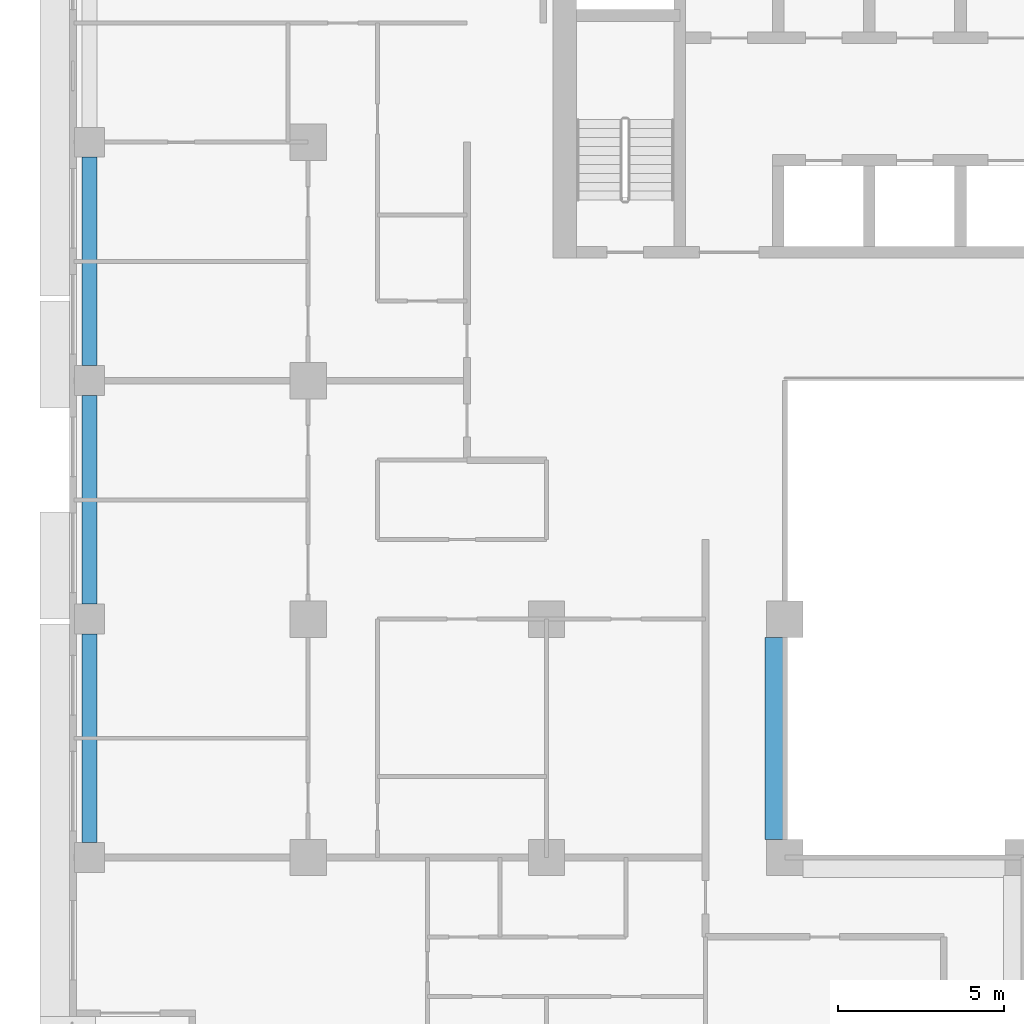
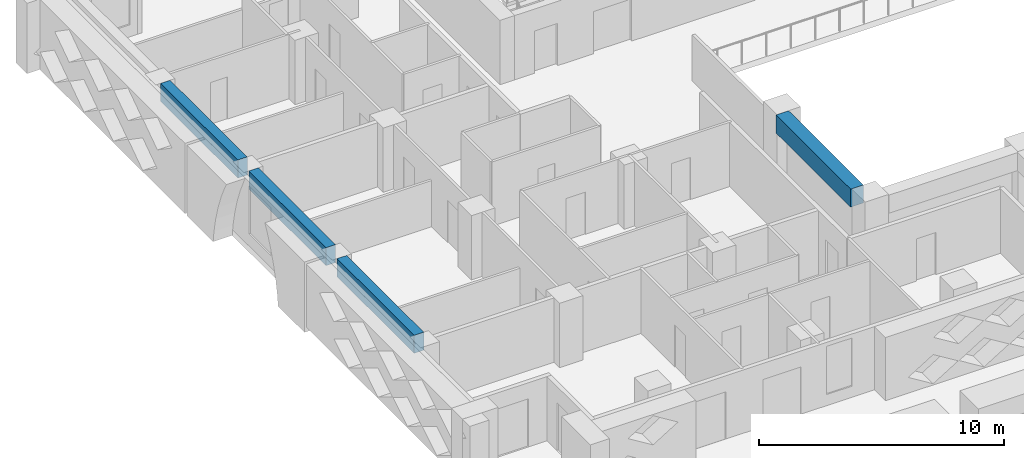
# One storey, part 3 of 17: 4 beams.
"""IFC4 building model written with IfcOpenShell, lengths in metres."""

from ifc_helpers import new_model, si_unit, direction, frame, origin, origin_2d, place, context, subcontext, project, spatial, rectangle, extrude, source, transform, mapped, material, material_profile, profile_set, type_object, element, save


model = new_model("IFC4")

# Units and contexts
model_context = context("Model", 3, precision=1e-05, world=origin(), true_north=direction((0.0, 1.0)))
body_context = subcontext(model_context, "Body", "Model", "MODEL_VIEW")
ifc_project = project(units=[si_unit("LENGTHUNIT", "METRE"), si_unit("AREAUNIT", "SQUARE_METRE"), si_unit("VOLUMEUNIT", "CUBIC_METRE"), si_unit("PLANEANGLEUNIT", "RADIAN"), si_unit("MASSUNIT", "GRAM", prefix="KILO")], contexts=[model_context])

# Site, building, storey
site_placement = place(None, origin())
site = spatial("IfcSite", under=ifc_project, at=site_placement, CompositionType="ELEMENT")
building_placement = place(site_placement, origin())
building = spatial("IfcBuilding", under=site, at=building_placement, Name="Saffron Iwan Residences", CompositionType="ELEMENT")
storey_placement = place(building_placement, frame((0.0, 0.0, 113.0)))
storey = spatial("IfcBuildingStorey", under=building, at=storey_placement, Name="L29", CompositionType="ELEMENT", Elevation=113.0)

# Beams
ifc_material = material(Name="Concrete C50/60", Category="concrete")
ifc_material_profile_1 = material_profile(ifc_material, rectangle(XDim=0.449951171875, YDim=0.89990234375, at=origin_2d()), Name="RC 450x900")
ifc_profile_set_1 = profile_set([ifc_material_profile_1], Name="Concrete C50/60")
beam_type_1 = type_object("IfcBeamType", Name="SPANDREL BEAM RC 450x900 C50/60 TOP 3200", PredefinedType="SPANDREL", material=ifc_profile_set_1)
shared_shape_1 = source(origin(), body_context, "Body", "SweptSolid", [
    extrude(rectangle(XDim=0.449951171875, YDim=0.89990234375, at=origin_2d()), origin(), (0.0, 0.0, 1.0), 6.300048828125),
])
for number, where, z_axis, x_axis, name in (
    (1, (15.0, 48.449951171875, 2.75), (0.0, 1.0, 0.0), (-1.0, 0.0, 0.0), "Spandrel beam"),
    (2, (15.0, 55.64990234375, 2.75), (0.0, 1.0, 0.0), (-1.0, 0.0, 0.0), "Spandrel beam"),
):
    element("IfcBeam", number, at=place(storey_placement, frame(where, z_axis=z_axis, x_axis=x_axis)), inside=storey, type_object=beam_type_1, Name=name, PredefinedType="SPANDREL", context=body_context, shape_type="MappedRepresentation", body=[
        mapped(shared_shape_1, transform((0.0, 0.0, 0.0))),
    ])
shared_shape_2 = source(origin(), body_context, "Body", "SweptSolid", [
    extrude(rectangle(XDim=0.449951171875, YDim=0.89990234375, at=origin_2d()), origin(), (0.0, 0.0, 1.0), 6.2998046875),
])
beam_1_placement = place(storey_placement, frame((15.0, 62.85009765625, 2.75), z_axis=(0.0, 1.0, 0.0), x_axis=(-1.0, 0.0, 0.0)))
element("IfcBeam", 3, at=beam_1_placement, inside=storey, type_object=beam_type_1, Name="Spandrel beam", PredefinedType="SPANDREL", context=body_context, shape_type="MappedRepresentation", body=[
    mapped(shared_shape_2, transform((0.0, 0.0, 0.0))),
])
ifc_material_profile_2 = material_profile(ifc_material, rectangle(XDim=0.60009765625, YDim=0.89990234375, at=origin_2d()), Name="RC 600x900")
ifc_profile_set_2 = profile_set([ifc_material_profile_2], Name="Concrete C50/60")
beam_type_2 = type_object("IfcBeamType", Name="BEAM RC 600x900 C50/60 TOP 3200", PredefinedType="BEAM", material=ifc_profile_set_2)
shared_shape_3 = source(origin(), body_context, "Body", "SweptSolid", [
    extrude(rectangle(XDim=0.60009765625, YDim=0.89990234375, at=origin_2d()), origin(), (0.0, 0.0, 1.0), 6.099853515625),
])
beam_2_placement = place(storey_placement, frame((35.699951171875, 48.550048828125, 2.75), z_axis=(0.0, 1.0, 0.0), x_axis=(-1.0, 0.0, 0.0)))
element("IfcBeam", 4, at=beam_2_placement, inside=storey, type_object=beam_type_2, Name="Atrium edge beam", PredefinedType="BEAM", context=body_context, shape_type="MappedRepresentation", body=[
    mapped(shared_shape_3, transform((0.0, 0.0, 0.0))),
])

save(model, "model.ifc")
